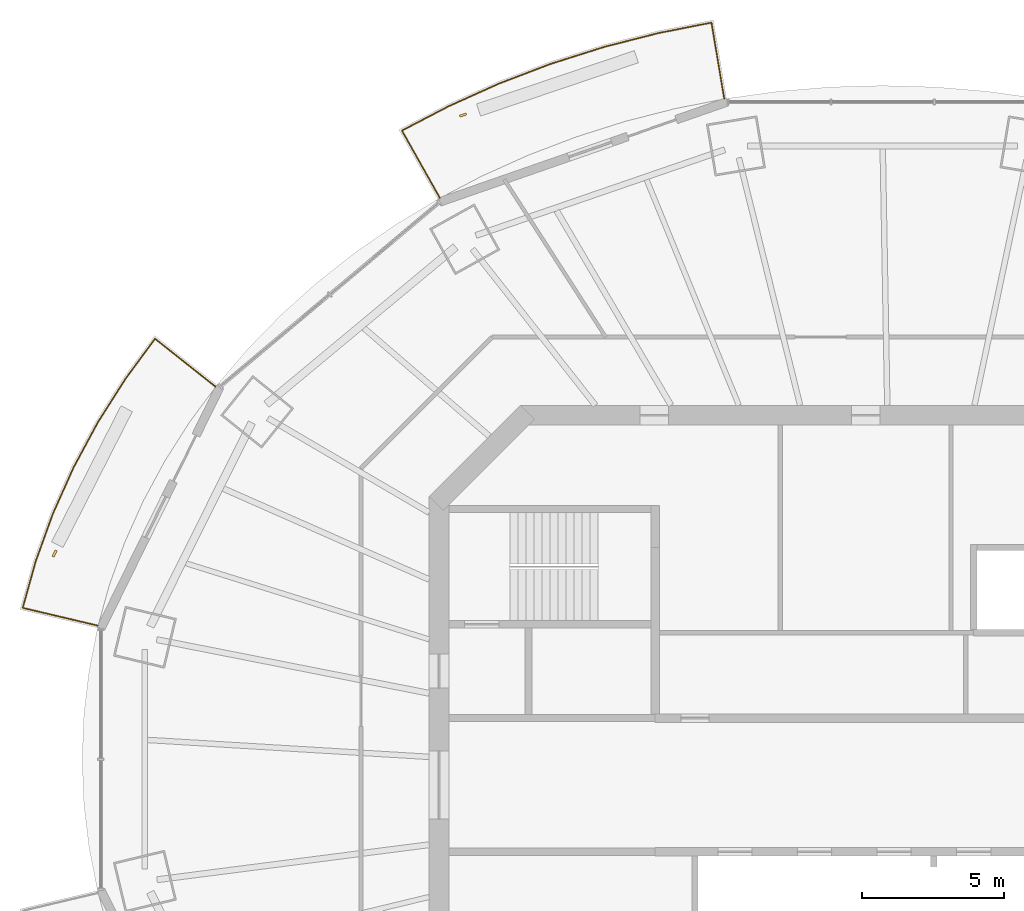
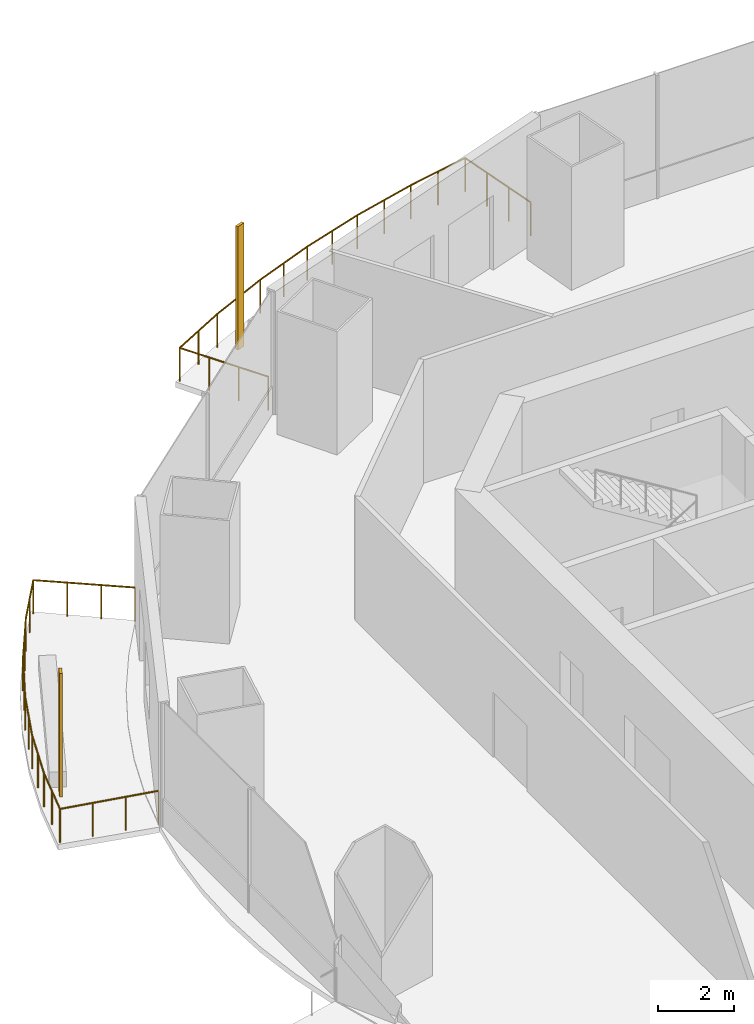
# One storey, part 14 of 16: 2 railings, 2 shading devices.
"""IFC4 building model written with IfcOpenShell, lengths in metres."""

from ifc_helpers import new_model, si_unit, direction, frame, origin, origin_2d, place, context, subcontext, project, spatial, rectangle, circle, extrude, material, material_profile, profile_set, type_object, element, save


model = new_model("IFC4")

# Units and contexts
model_context = context("Model", 3, precision=1e-05, world=origin(), true_north=direction((0.0, 1.0)))
body_context = subcontext(model_context, "Body", "Model", "MODEL_VIEW")
ifc_project = project(units=[si_unit("LENGTHUNIT", "METRE"), si_unit("AREAUNIT", "SQUARE_METRE"), si_unit("VOLUMEUNIT", "CUBIC_METRE"), si_unit("PLANEANGLEUNIT", "RADIAN"), si_unit("MASSUNIT", "GRAM", prefix="KILO")], contexts=[model_context])

# Site, building, storey
site_placement = place(None, origin())
site = spatial("IfcSite", under=ifc_project, at=site_placement, CompositionType="ELEMENT")
building_placement = place(site_placement, origin())
building = spatial("IfcBuilding", under=site, at=building_placement, Name="Marenthal Gate Tower", CompositionType="ELEMENT")
storey_placement = place(building_placement, frame((0.0, 0.0, 309.39990234375)))
storey = spatial("IfcBuildingStorey", under=building, at=storey_placement, Name="L69", CompositionType="ELEMENT", Elevation=309.39990234375)

# Railings
ifc_material_1 = material(Name="Stainless steel", Category="steel")
railing_type = type_object("IfcRailingType", Name="Balcony guard 1100", PredefinedType="GUARDRAIL", material=ifc_material_1)
railing_1_placement = place(storey_placement, frame((-15.9716796875, 20.638427734375, 0.0)))
element("IfcRailing", 1, at=railing_1_placement, inside=storey, type_object=railing_type, Name="Balcony guard L69 bay 5", PredefinedType="GUARDRAIL", context=body_context, shape_type="SweptSolid", body=[
    extrude(circle(Radius=0.02392578125, at=origin_2d()), frame((0.0, 0.0, 1.076171875), z_axis=(-0.490460154292, 0.87134083038, -0.01462854623), x_axis=(-0.871434076359, -0.490512640571, 0.0)), (0.0, 0.0, 1.0), 2.720458984375),
    extrude(circle(Radius=0.02392578125, at=origin_2d()), frame((-1.334228515625, 2.370361328125, 1.0361328125), z_axis=(0.88661074156, 0.462516370467, 0.0), x_axis=(-0.462516370467, 0.88661074156, 0.0)), (0.0, 0.0, 1.0), 1.84912109375),
    extrude(circle(Radius=0.02392578125, at=origin_2d()), frame((0.30517578125, 3.2255859375, 1.0361328125), z_axis=(0.911982656783, 0.4102287578, 0.0), x_axis=(-0.4102287578, 0.911982656783, 0.0)), (0.0, 0.0, 1.0), 1.94189453125),
    extrude(circle(Radius=0.02392578125, at=origin_2d()), frame((2.076171875, 4.022216796875, 1.0361328125), z_axis=(0.934378809017, 0.356281126723, 0.0), x_axis=(-0.356281126723, 0.934378809017, 0.0)), (0.0, 0.0, 1.0), 1.95361328125),
    extrude(circle(Radius=0.02392578125, at=origin_2d()), frame((3.901611328125, 4.71826171875, 1.0361328125), z_axis=(0.953300483084, 0.302023490729, 0.0), x_axis=(-0.302023490729, 0.953300483084, 0.0)), (0.0, 0.0, 1.0), 1.96435546875),
    extrude(circle(Radius=0.02392578125, at=origin_2d()), frame((5.774169921875, 5.3115234375, 1.0361328125), z_axis=(0.968929698625, 0.247336287518, 0.0), x_axis=(-0.247336287518, 0.968929698625, 0.0)), (0.0, 0.0, 1.0), 1.97314453125),
    extrude(circle(Radius=0.02392578125, at=origin_2d()), frame((7.68603515625, 5.799560546875, 1.0361328125), z_axis=(0.981061826101, 0.193694846002, 0.0), x_axis=(-0.193694846002, 0.981061826101, 0.0)), (0.0, 0.0, 1.0), 1.900634765625),
    extrude(circle(Radius=0.02392578125, at=origin_2d()), frame((9.55078125, 6.167724609375, 1.0361328125), z_axis=(0.165225448315, -0.986147325412, 0.014628869134), x_axis=(0.986252861995, 0.165243130591, 0.0)), (0.0, 0.0, 1.0), 2.72021484375),
    extrude(circle(Radius=0.02099609375, at=origin_2d()), origin(), (0.0, 0.0, 1.0), 1.052001953125),
    extrude(circle(Radius=0.02099609375, at=origin_2d()), frame((-0.44482421875, 0.7900390625, -0.01318359375)), (0.0, 0.0, 1.0), 1.052001953125),
    extrude(circle(Radius=0.02099609375, at=origin_2d()), frame((-0.889404296875, 1.580322265625, -0.026611328125)), (0.0, 0.0, 1.0), 1.052001953125),
    extrude(circle(Radius=0.02099609375, at=origin_2d()), frame((-1.334228515625, 2.370361328125, -0.039794921875)), (0.0, 0.0, 1.0), 1.052001953125),
    extrude(circle(Radius=0.02099609375, at=origin_2d()), frame((-0.5146484375, 2.7978515625, -0.039794921875)), (0.0, 0.0, 1.0), 1.052001953125),
    extrude(circle(Radius=0.02099609375, at=origin_2d()), frame((0.30517578125, 3.2255859375, -0.039794921875)), (0.0, 0.0, 1.0), 1.052001953125),
    extrude(circle(Radius=0.02099609375, at=origin_2d()), frame((1.190673828125, 3.6240234375, -0.039794921875)), (0.0, 0.0, 1.0), 1.052001953125),
    extrude(circle(Radius=0.02099609375, at=origin_2d()), frame((2.076171875, 4.022216796875, -0.039794921875)), (0.0, 0.0, 1.0), 1.052001953125),
    extrude(circle(Radius=0.02099609375, at=origin_2d()), frame((2.98876953125, 4.3701171875, -0.039794921875)), (0.0, 0.0, 1.0), 1.052001953125),
    extrude(circle(Radius=0.02099609375, at=origin_2d()), frame((3.901611328125, 4.71826171875, -0.039794921875)), (0.0, 0.0, 1.0), 1.052001953125),
    extrude(circle(Radius=0.02099609375, at=origin_2d()), frame((4.837890625, 5.014892578125, -0.039794921875)), (0.0, 0.0, 1.0), 1.052001953125),
    extrude(circle(Radius=0.02099609375, at=origin_2d()), frame((5.774169921875, 5.3115234375, -0.039794921875)), (0.0, 0.0, 1.0), 1.052001953125),
    extrude(circle(Radius=0.02099609375, at=origin_2d()), frame((6.72998046875, 5.5556640625, -0.039794921875)), (0.0, 0.0, 1.0), 1.052001953125),
    extrude(circle(Radius=0.02099609375, at=origin_2d()), frame((7.68603515625, 5.799560546875, -0.039794921875)), (0.0, 0.0, 1.0), 1.052001953125),
    extrude(circle(Radius=0.02099609375, at=origin_2d()), frame((8.618408203125, 5.983642578125, -0.039794921875)), (0.0, 0.0, 1.0), 1.052001953125),
    extrude(circle(Radius=0.02099609375, at=origin_2d()), frame((9.55078125, 6.167724609375, -0.039794921875)), (0.0, 0.0, 1.0), 1.052001953125),
    extrude(circle(Radius=0.02099609375, at=origin_2d()), frame((9.70068359375, 5.2734375, -0.026611328125)), (0.0, 0.0, 1.0), 1.052001953125),
    extrude(circle(Radius=0.02099609375, at=origin_2d()), frame((9.850341796875, 4.37939453125, -0.01318359375)), (0.0, 0.0, 1.0), 1.052001953125),
    extrude(circle(Radius=0.02099609375, at=origin_2d()), frame((10.000244140625, 3.485107421875, 0.0)), (0.0, 0.0, 1.0), 1.052001953125),
])
railing_2_placement = place(storey_placement, frame((-27.99462890625, 5.599853515625, 0.0)))
element("IfcRailing", 2, at=railing_2_placement, inside=storey, type_object=railing_type, Name="Balcony guard L69 bay 7", PredefinedType="GUARDRAIL", context=body_context, shape_type="SweptSolid", body=[
    extrude(circle(Radius=0.02392578125, at=origin_2d()), frame((0.0, 0.0, 1.076171875), z_axis=(-0.973118453647, 0.22984011434, -0.014628636719), x_axis=(-0.229864710837, -0.973222592582, 0.0)), (0.0, 0.0, 1.0), 2.720458984375),
    extrude(circle(Radius=0.02392578125, at=origin_2d()), frame((-2.647216796875, 0.625244140625, 1.0361328125), z_axis=(0.268699441424, 0.963224070598, 0.0), x_axis=(-0.963224070598, 0.268699441424, 0.0)), (0.0, 0.0, 1.0), 1.693603515625),
    extrude(circle(Radius=0.02392578125, at=origin_2d()), frame((-2.192138671875, 2.256591796875, 1.0361328125), z_axis=(0.33912231199, 0.940742290699, 0.0), x_axis=(-0.940742290699, 0.33912231199, 0.0)), (0.0, 0.0, 1.0), 1.781005859375),
    extrude(circle(Radius=0.02392578125, at=origin_2d()), frame((-1.588134765625, 3.93212890625, 1.0361328125), z_axis=(0.408186684853, 0.912898477547, 0.0), x_axis=(-0.912898477547, 0.408186684853, 0.0)), (0.0, 0.0, 1.0), 1.790771484375),
    extrude(circle(Radius=0.02392578125, at=origin_2d()), frame((-0.857177734375, 5.56689453125, 1.0361328125), z_axis=(0.473954337588, 0.880549422736, 0.0), x_axis=(-0.880549422736, 0.473954337588, 0.0)), (0.0, 0.0, 1.0), 1.80126953125),
    extrude(circle(Radius=0.02392578125, at=origin_2d()), frame((-0.00341796875, 7.153076171875, 1.0361328125), z_axis=(0.536204581752, 0.844088056134, 0.0), x_axis=(-0.844088056134, 0.536204581752, 0.0)), (0.0, 0.0, 1.0), 1.8134765625),
    extrude(circle(Radius=0.02392578125, at=origin_2d()), frame((0.968994140625, 8.683837890625, 1.0361328125), z_axis=(0.592931999647, 0.805252534174, 0.0), x_axis=(-0.805252534174, 0.592931999647, 0.0)), (0.0, 0.0, 1.0), 1.74658203125),
    extrude(circle(Radius=0.02392578125, at=origin_2d()), frame((2.004638671875, 10.09033203125, 1.0361328125), z_axis=(0.783413837471, -0.621328215925, 0.014628990206), x_axis=(0.621394711002, 0.78349767909, 0.0)), (0.0, 0.0, 1.0), 2.72021484375),
    extrude(circle(Radius=0.02099609375, at=origin_2d()), origin(), (0.0, 0.0, 1.0), 1.052001953125),
    extrude(circle(Radius=0.02099609375, at=origin_2d()), frame((-0.88232421875, 0.20849609375, -0.01318359375)), (0.0, 0.0, 1.0), 1.052001953125),
    extrude(circle(Radius=0.02099609375, at=origin_2d()), frame((-1.764892578125, 0.416748046875, -0.026611328125)), (0.0, 0.0, 1.0), 1.052001953125),
    extrude(circle(Radius=0.02099609375, at=origin_2d()), frame((-2.647216796875, 0.625244140625, -0.039794921875)), (0.0, 0.0, 1.0), 1.052001953125),
    extrude(circle(Radius=0.02099609375, at=origin_2d()), frame((-2.419677734375, 1.44091796875, -0.039794921875)), (0.0, 0.0, 1.0), 1.052001953125),
    extrude(circle(Radius=0.02099609375, at=origin_2d()), frame((-2.192138671875, 2.256591796875, -0.039794921875)), (0.0, 0.0, 1.0), 1.052001953125),
    extrude(circle(Radius=0.02099609375, at=origin_2d()), frame((-1.89013671875, 3.09423828125, -0.039794921875)), (0.0, 0.0, 1.0), 1.052001953125),
    extrude(circle(Radius=0.02099609375, at=origin_2d()), frame((-1.588134765625, 3.93212890625, -0.039794921875)), (0.0, 0.0, 1.0), 1.052001953125),
    extrude(circle(Radius=0.02099609375, at=origin_2d()), frame((-1.22265625, 4.74951171875, -0.039794921875)), (0.0, 0.0, 1.0), 1.052001953125),
    extrude(circle(Radius=0.02099609375, at=origin_2d()), frame((-0.857177734375, 5.56689453125, -0.039794921875)), (0.0, 0.0, 1.0), 1.052001953125),
    extrude(circle(Radius=0.02099609375, at=origin_2d()), frame((-0.43017578125, 6.35986328125, -0.039794921875)), (0.0, 0.0, 1.0), 1.052001953125),
    extrude(circle(Radius=0.02099609375, at=origin_2d()), frame((-0.00341796875, 7.153076171875, -0.039794921875)), (0.0, 0.0, 1.0), 1.052001953125),
    extrude(circle(Radius=0.02099609375, at=origin_2d()), frame((0.48291015625, 7.91845703125, -0.039794921875)), (0.0, 0.0, 1.0), 1.052001953125),
    extrude(circle(Radius=0.02099609375, at=origin_2d()), frame((0.968994140625, 8.683837890625, -0.039794921875)), (0.0, 0.0, 1.0), 1.052001953125),
    extrude(circle(Radius=0.02099609375, at=origin_2d()), frame((1.48681640625, 9.38720703125, -0.039794921875)), (0.0, 0.0, 1.0), 1.052001953125),
    extrude(circle(Radius=0.02099609375, at=origin_2d()), frame((2.004638671875, 10.09033203125, -0.039794921875)), (0.0, 0.0, 1.0), 1.052001953125),
    extrude(circle(Radius=0.02099609375, at=origin_2d()), frame((2.715087890625, 9.52685546875, -0.026611328125)), (0.0, 0.0, 1.0), 1.052001953125),
    extrude(circle(Radius=0.02099609375, at=origin_2d()), frame((3.42529296875, 8.963623046875, -0.01318359375)), (0.0, 0.0, 1.0), 1.052001953125),
    extrude(circle(Radius=0.02099609375, at=origin_2d()), frame((4.1357421875, 8.400146484375, 0.0)), (0.0, 0.0, 1.0), 1.052001953125),
])

# Shading devices
ifc_material_2 = material(Name="Terracotta", Category="masonry")
ifc_material_profile = material_profile(ifc_material_2, rectangle(XDim=0.25, YDim=0.080078125, at=origin_2d()), Name="Terracotta baguette 250x80")
ifc_profile_set = profile_set([ifc_material_profile], Name="Terracotta")
shading_device_type = type_object("IfcShadingDeviceType", Name="Terracotta BAGUETTE SCREEN 250x80", PredefinedType="USERDEFINED", material=ifc_profile_set)
for number, where, z_axis, x_axis, name in (
    (3, (-15.156494140625, 23.55615234375, -0.039794921875), (0.0, 0.0, 1.0), (-0.944249095616, -0.329231902203, 0.0), "Terracotta BAGUETTE L69 bay 5R"),
    (4, (-29.52001953125, 8.13720703125, -0.039794921875), (0.0, 0.0, 1.0), (-0.441517596382, -0.897252591016, 0.0), "Terracotta BAGUETTE L69 bay 7R"),
):
    element("IfcShadingDevice", number, at=place(storey_placement, frame(where, z_axis=z_axis, x_axis=x_axis)), inside=storey, type_object=shading_device_type, Name=name, ObjectType="BAGUETTE SCREEN", PredefinedType="USERDEFINED", context=body_context, shape_type="SweptSolid", body=[
        extrude(rectangle(XDim=0.25, YDim=0.080078125, at=origin_2d()), origin(), (0.0, 0.0, 1.0), 3.969970703125),
    ])

save(model, "model.ifc")
